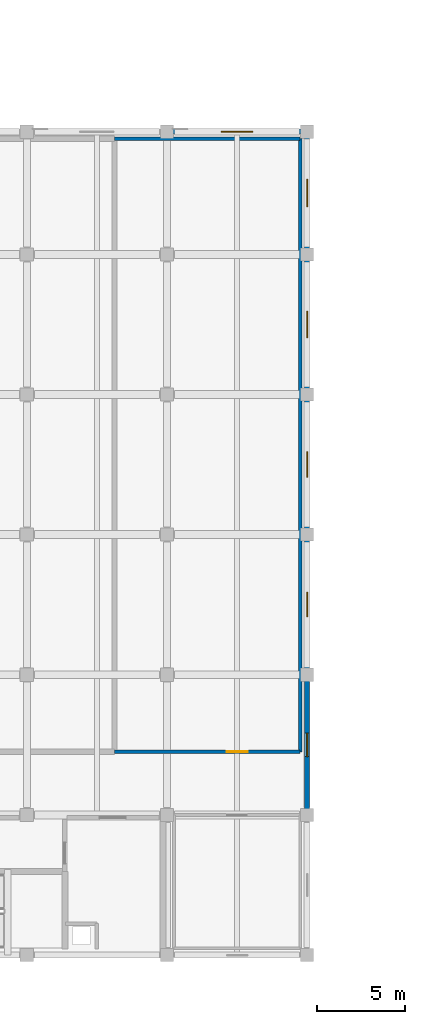
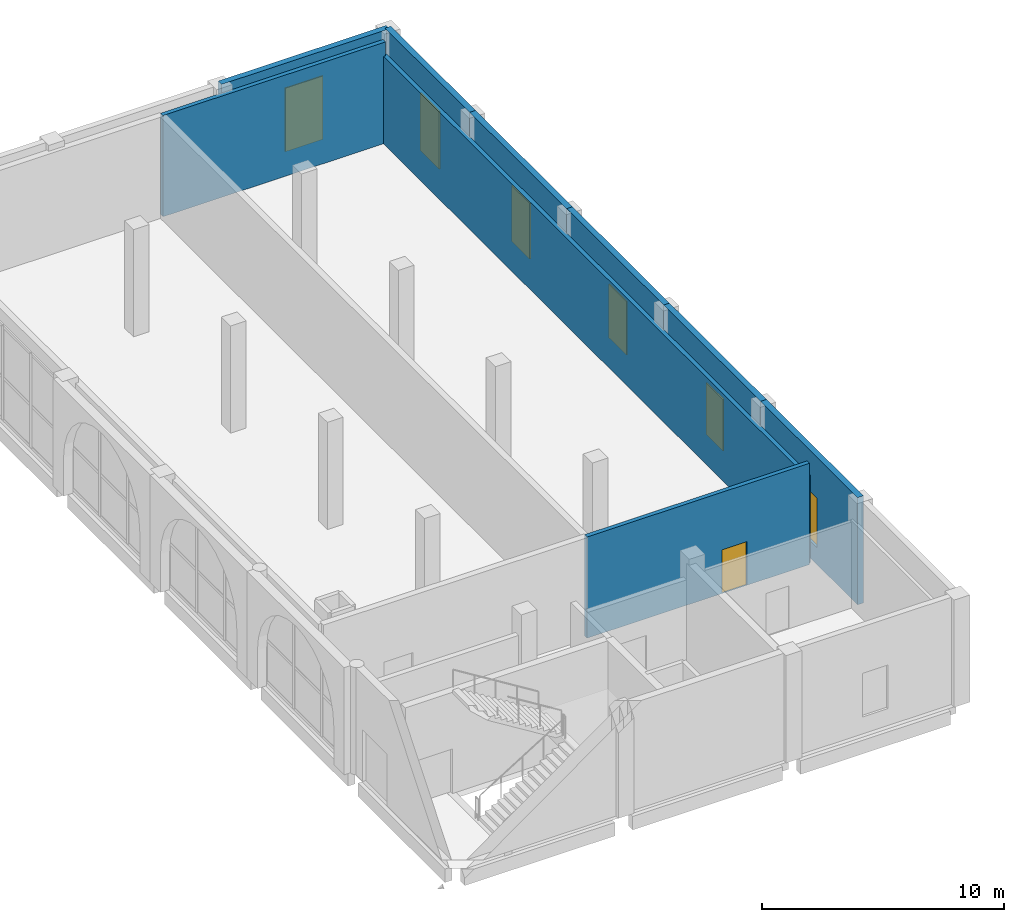
# One storey, part 23 of 40: 9 walls, 6 windows, 1 door, 7 openings.
"""IFC4 building model written with IfcOpenShell, lengths in metres."""

from ifc_helpers import new_model, si_unit, direction, frame, frame_2d, origin, place, context, subcontext, project, spatial, rectangle, extrude, material, layer, layer_set, type_object, element, fill, save


model = new_model("IFC4")

# Units and contexts
model_context = context("Model", 3, precision=1e-05, world=origin(), true_north=direction((0.0, 1.0)))
body_context = subcontext(model_context, "Body", "Model", "MODEL_VIEW")
ifc_project = project(units=[si_unit("LENGTHUNIT", "METRE"), si_unit("AREAUNIT", "SQUARE_METRE"), si_unit("VOLUMEUNIT", "CUBIC_METRE"), si_unit("PLANEANGLEUNIT", "RADIAN"), si_unit("MASSUNIT", "GRAM", prefix="KILO")], contexts=[model_context])

# Site, building, storey
site_placement = place(None, origin())
site = spatial("IfcSite", under=ifc_project, at=site_placement, CompositionType="ELEMENT")
building_placement = place(site_placement, origin())
building = spatial("IfcBuilding", under=site, at=building_placement, Name="Qorikala Patio Media Centre", CompositionType="ELEMENT")
storey_placement = place(building_placement, origin())
storey = spatial("IfcBuildingStorey", under=building, at=storey_placement, Name="L00", CompositionType="ELEMENT", Elevation=0.0)

# Wall, opening, window
ifc_material_1 = material(Name="Warm Ochre Lime Stucco and Concrete C35/45", Category="concrete")
ifc_layer_1 = layer(ifc_material_1, 0.280029296875)
ifc_layer_set_1 = layer_set([ifc_layer_1], Name="Warm Ochre Lime Stucco and Concrete C35/45")
wall_type_1 = type_object("IfcWallType", Name="WL-OCHRE-280", PredefinedType="SOLIDWALL", material=ifc_layer_set_1)
wall_1_placement = place(storey_placement, frame((75.0, 111.0, 0.0), z_axis=(0.0, 0.0, 1.0), x_axis=(0.0, -1.0, 0.0)))
wall_1 = element("IfcWall", 1, at=wall_1_placement, inside=storey, type_object=wall_type_1, Name="L00 Exterior Wall WL-L00-EXT-0078", PredefinedType="SOLIDWALL", context=body_context, shape_type="SweptSolid", body=[
    extrude(rectangle(XDim=7.0, YDim=0.280029296875, at=frame_2d((3.5, 0.0))), origin(), (0.0, 0.0, 1.0), 5.39990234375),
])
opening_1_placement = place(wall_1_placement, frame((2.7099609375, 0.0, 0.85009765625)))
opening_1 = element("IfcOpeningElement", 2, at=opening_1_placement, cuts=wall_1, Name="Opening WC-158", PredefinedType="OPENING", context=body_context, shape_type="SweptSolid", body=[
    extrude(rectangle(XDim=1.580078125, YDim=2.89990234375, at=frame_2d((0.7900390625, 1.449951171875))), frame((0.0, 0.14990234375, 0.0), z_axis=(0.0, -1.0, 0.0), x_axis=(1.0, 0.0, 0.0)), (0.0, 0.0, 1.0), 0.300048828125),
])
ifc_material_2 = material(Name="Bronze Anodised Aluminium and Low-E Glass", Category="aluminium")
window_type_1 = type_object("IfcWindowType", Name="WN-COL-158X290", PartitioningType="SINGLE_PANEL", PredefinedType="WINDOW", material=ifc_material_2)
window_1_placement = place(opening_1_placement, origin())
window_1 = element("IfcWindow", 3, at=window_1_placement, inside=storey, type_object=window_type_1, Name="L00 Colonial Tall Window 0053", OverallHeight=2.89990234375, OverallWidth=1.580078125, PartitioningType="SINGLE_PANEL", PredefinedType="WINDOW", context=body_context, shape_type="SweptSolid", body=[
    extrude(rectangle(XDim=1.580078125, YDim=2.89990234375, at=frame_2d((0.7900390625, 1.449951171875))), frame((0.0, 0.030029296875, 0.0), z_axis=(0.0, -1.0, 0.0), x_axis=(1.0, 0.0, 0.0)), (0.0, 0.0, 1.0), 0.06005859375),
])
fill(opening_1, window_1)

wall_2_placement = place(storey_placement, frame((75.0, 104.0, 0.0), z_axis=(0.0, 0.0, 1.0), x_axis=(0.0, -1.0, 0.0)))
wall_2 = element("IfcWall", 4, at=wall_2_placement, inside=storey, type_object=wall_type_1, Name="L00 Exterior Wall WL-L00-EXT-0079", PredefinedType="SOLIDWALL", context=body_context, shape_type="SweptSolid", body=[
    extrude(rectangle(XDim=8.0, YDim=0.280029296875, at=frame_2d((4.0, 0.0))), origin(), (0.0, 0.0, 1.0), 5.39990234375),
])
opening_2_placement = place(wall_2_placement, frame((3.25, 0.0, 0.85009765625)))
opening_2 = element("IfcOpeningElement", 5, at=opening_2_placement, cuts=wall_2, Name="Opening WC-150", PredefinedType="OPENING", context=body_context, shape_type="SweptSolid", body=[
    extrude(rectangle(XDim=1.5, YDim=2.800048828125, at=frame_2d((0.75, 1.39990234375))), frame((0.0, 0.14990234375, 0.0), z_axis=(0.0, -1.0, 0.0), x_axis=(1.0, 0.0, 0.0)), (0.0, 0.0, 1.0), 0.300048828125),
])
window_type_2 = type_object("IfcWindowType", Name="WN-COL-150X280", PartitioningType="SINGLE_PANEL", PredefinedType="WINDOW", material=ifc_material_2)
window_2_placement = place(opening_2_placement, origin())
window_2 = element("IfcWindow", 6, at=window_2_placement, inside=storey, type_object=window_type_2, Name="L00 Colonial Tall Window 0054", OverallHeight=2.800048828125, OverallWidth=1.5, PartitioningType="SINGLE_PANEL", PredefinedType="WINDOW", context=body_context, shape_type="SweptSolid", body=[
    extrude(rectangle(XDim=1.5, YDim=2.800048828125, at=frame_2d((0.75, 1.39990234375))), frame((0.0, 0.030029296875, 0.0), z_axis=(0.0, -1.0, 0.0), x_axis=(1.0, 0.0, 0.0)), (0.0, 0.0, 1.0), 0.06005859375),
])
fill(opening_2, window_2)

wall_3_placement = place(storey_placement, frame((75.0, 96.0, 0.0), z_axis=(0.0, 0.0, 1.0), x_axis=(0.0, -1.0, 0.0)))
wall_3 = element("IfcWall", 7, at=wall_3_placement, inside=storey, type_object=wall_type_1, Name="L00 Exterior Wall WL-L00-EXT-0080", PredefinedType="SOLIDWALL", context=body_context, shape_type="SweptSolid", body=[
    extrude(rectangle(XDim=8.0, YDim=0.280029296875, at=frame_2d((4.0, 0.0))), origin(), (0.0, 0.0, 1.0), 5.39990234375),
])
opening_3_placement = place(wall_3_placement, frame((3.27001953125, 0.0, 0.85009765625)))
opening_3 = element("IfcOpeningElement", 8, at=opening_3_placement, cuts=wall_3, Name="Opening WC-146", PredefinedType="OPENING", context=body_context, shape_type="SweptSolid", body=[
    extrude(rectangle(XDim=1.4599609375, YDim=2.699951171875, at=frame_2d((0.72998046875, 1.35009765625))), frame((0.0, 0.14990234375, 0.0), z_axis=(0.0, -1.0, 0.0), x_axis=(1.0, 0.0, 0.0)), (0.0, 0.0, 1.0), 0.300048828125),
])
window_type_3 = type_object("IfcWindowType", Name="WN-COL-146X270", PartitioningType="SINGLE_PANEL", PredefinedType="WINDOW", material=ifc_material_2)
window_3_placement = place(opening_3_placement, origin())
window_3 = element("IfcWindow", 9, at=window_3_placement, inside=storey, type_object=window_type_3, Name="L00 Colonial Tall Window 0055", OverallHeight=2.699951171875, OverallWidth=1.4599609375, PartitioningType="SINGLE_PANEL", PredefinedType="WINDOW", context=body_context, shape_type="SweptSolid", body=[
    extrude(rectangle(XDim=1.4599609375, YDim=2.699951171875, at=frame_2d((0.72998046875, 1.35009765625))), frame((0.0, 0.030029296875, 0.0), z_axis=(0.0, -1.0, 0.0), x_axis=(1.0, 0.0, 0.0)), (0.0, 0.0, 1.0), 0.06005859375),
])
fill(opening_3, window_3)

wall_4_placement = place(storey_placement, frame((75.0, 88.0, 0.0), z_axis=(0.0, 0.0, 1.0), x_axis=(0.0, -1.0, 0.0)))
wall_4 = element("IfcWall", 10, at=wall_4_placement, inside=storey, type_object=wall_type_1, Name="L00 Exterior Wall WL-L00-EXT-0081", PredefinedType="SOLIDWALL", context=body_context, shape_type="SweptSolid", body=[
    extrude(rectangle(XDim=8.0, YDim=0.280029296875, at=frame_2d((4.0, 0.0))), origin(), (0.0, 0.0, 1.0), 5.39990234375),
])
opening_4_placement = place(wall_4_placement, frame((3.300048828125, 0.0, 0.85009765625)))
opening_4 = element("IfcOpeningElement", 11, at=opening_4_placement, cuts=wall_4, Name="Opening WC-140", PredefinedType="OPENING", context=body_context, shape_type="SweptSolid", body=[
    extrude(rectangle(XDim=1.39990234375, YDim=2.60009765625, at=frame_2d((0.699951171875, 1.300048828125))), frame((0.0, 0.14990234375, 0.0), z_axis=(0.0, -1.0, 0.0), x_axis=(1.0, 0.0, 0.0)), (0.0, 0.0, 1.0), 0.300048828125),
])
window_type_4 = type_object("IfcWindowType", Name="WN-COL-140X260", PartitioningType="SINGLE_PANEL", PredefinedType="WINDOW", material=ifc_material_2)
window_4_placement = place(opening_4_placement, origin())
window_4 = element("IfcWindow", 12, at=window_4_placement, inside=storey, type_object=window_type_4, Name="L00 Colonial Tall Window 0056", OverallHeight=2.60009765625, OverallWidth=1.39990234375, PartitioningType="SINGLE_PANEL", PredefinedType="WINDOW", context=body_context, shape_type="SweptSolid", body=[
    extrude(rectangle(XDim=1.39990234375, YDim=2.60009765625, at=frame_2d((0.699951171875, 1.300048828125))), frame((0.0, 0.030029296875, 0.0), z_axis=(0.0, -1.0, 0.0), x_axis=(1.0, 0.0, 0.0)), (0.0, 0.0, 1.0), 0.06005859375),
])
fill(opening_4, window_4)

wall_5_placement = place(storey_placement, frame((75.0, 80.0, 0.0), z_axis=(0.0, 0.0, 1.0), x_axis=(0.0, -1.0, 0.0)))
wall_5 = element("IfcWall", 13, at=wall_5_placement, inside=storey, type_object=wall_type_1, Name="L00 Exterior Wall WL-L00-EXT-0082", PredefinedType="SOLIDWALL", context=body_context, shape_type="SweptSolid", body=[
    extrude(rectangle(XDim=8.0, YDim=0.280029296875, at=frame_2d((4.0, 0.0))), origin(), (0.0, 0.0, 1.0), 5.39990234375),
])
opening_5_placement = place(wall_5_placement, frame((3.330078125, 0.0, 0.85009765625)))
opening_5 = element("IfcOpeningElement", 14, at=opening_5_placement, cuts=wall_5, Name="Opening WC-134", PredefinedType="OPENING", context=body_context, shape_type="SweptSolid", body=[
    extrude(rectangle(XDim=1.340087890625, YDim=2.5, at=frame_2d((0.669921875, 1.25))), frame((0.0, 0.14990234375, 0.0), z_axis=(0.0, -1.0, 0.0), x_axis=(1.0, 0.0, 0.0)), (0.0, 0.0, 1.0), 0.300048828125),
])
window_type_5 = type_object("IfcWindowType", Name="WN-COL-134X250", PartitioningType="SINGLE_PANEL", PredefinedType="WINDOW", material=ifc_material_2)
window_5_placement = place(opening_5_placement, origin())
window_5 = element("IfcWindow", 15, at=window_5_placement, inside=storey, type_object=window_type_5, Name="L00 Colonial Tall Window 0057", OverallHeight=2.5, OverallWidth=1.340087890625, PartitioningType="SINGLE_PANEL", PredefinedType="WINDOW", context=body_context, shape_type="SweptSolid", body=[
    extrude(rectangle(XDim=1.340087890625, YDim=2.5, at=frame_2d((0.669921875, 1.25))), frame((0.0, 0.030029296875, 0.0), z_axis=(0.0, -1.0, 0.0), x_axis=(1.0, 0.0, 0.0)), (0.0, 0.0, 1.0), 0.06005859375),
])
fill(opening_5, window_5)

wall_6_placement = place(storey_placement, frame((67.0, 111.0, 0.0), z_axis=(0.0, 0.0, 1.0), x_axis=(1.0, 0.0, 0.0)))
wall_6 = element("IfcWall", 16, at=wall_6_placement, inside=storey, type_object=wall_type_1, Name="L00 Exterior Wall WL-L00-EXT-0090", PredefinedType="SOLIDWALL", context=body_context, shape_type="SweptSolid", body=[
    extrude(rectangle(XDim=8.0, YDim=0.280029296875, at=frame_2d((4.0, 0.0))), origin(), (0.0, 0.0, 1.0), 5.39990234375),
])
opening_6_placement = place(wall_6_placement, frame((3.10009765625, 0.0, 0.85009765625)))
opening_6 = element("IfcOpeningElement", 17, at=opening_6_placement, cuts=wall_6, Name="Opening WC-180", PredefinedType="OPENING", context=body_context, shape_type="SweptSolid", body=[
    extrude(rectangle(XDim=1.800048828125, YDim=3.199951171875, at=frame_2d((0.89990234375, 1.60009765625))), frame((0.0, 0.14990234375, 0.0), z_axis=(0.0, -1.0, 0.0), x_axis=(1.0, 0.0, 0.0)), (0.0, 0.0, 1.0), 0.300048828125),
])
window_type_6 = type_object("IfcWindowType", Name="WN-COL-180X320", PartitioningType="SINGLE_PANEL", PredefinedType="WINDOW", material=ifc_material_2)
window_6_placement = place(opening_6_placement, origin())
window_6 = element("IfcWindow", 18, at=window_6_placement, inside=storey, type_object=window_type_6, Name="L00 Colonial Tall Window 0062", OverallHeight=3.199951171875, OverallWidth=1.800048828125, PartitioningType="SINGLE_PANEL", PredefinedType="WINDOW", context=body_context, shape_type="SweptSolid", body=[
    extrude(rectangle(XDim=1.800048828125, YDim=3.199951171875, at=frame_2d((0.89990234375, 1.60009765625))), frame((0.0, 0.030029296875, 0.0), z_axis=(0.0, -1.0, 0.0), x_axis=(1.0, 0.0, 0.0)), (0.0, 0.0, 1.0), 0.06005859375),
])
fill(opening_6, window_6)

# Wall, opening, door
ifc_material_3 = material(Name="Acoustic Masonry and Plaster Concrete C30/37", Category="masonry")
ifc_layer_2 = layer(ifc_material_3, 0.199951171875)
ifc_layer_set_2 = layer_set([ifc_layer_2], Name="Acoustic Masonry and Plaster Concrete C30/37")
wall_type_2 = type_object("IfcWallType", Name="WL-ST-200", PredefinedType="PARTITIONING", material=ifc_layer_set_2)
wall_7_placement = place(storey_placement, frame((64.0, 75.60009765625, 0.0), z_axis=(0.0, 0.0, 1.0), x_axis=(1.0, 0.0, 0.0)))
wall_7 = element("IfcWall", 19, at=wall_7_placement, inside=storey, type_object=wall_type_2, Name="L00 Interior Wall WINT-L00-CTR1-S", PredefinedType="PARTITIONING", context=body_context, shape_type="SweptSolid", body=[
    extrude(rectangle(XDim=10.60009765625, YDim=0.199951171875, at=frame_2d((5.300048828125, 0.0))), origin(), (0.0, 0.0, 1.0), 5.10009765625),
])
opening_7_placement = place(wall_7_placement, frame((6.4208984375, 0.0, 0.0)))
opening_7 = element("IfcOpeningElement", 20, at=opening_7_placement, cuts=wall_7, Name="Opening D248", PredefinedType="OPENING", context=body_context, shape_type="SweptSolid", body=[
    extrude(rectangle(XDim=1.199951171875, YDim=2.199951171875, at=frame_2d((0.60009765625, 1.10009765625))), frame((0.0, 0.10986328125, 0.0), z_axis=(0.0, -1.0, 0.0), x_axis=(1.0, 0.0, 0.0)), (0.0, 0.0, 1.0), 0.219970703125),
])
ifc_material_4 = material(Name="Acoustic Fire Timber and Steel", Category="steel")
door_type = type_object("IfcDoorType", Name="DR-FD60-120X220", OperationType="NOTDEFINED", PredefinedType="DOOR", material=ifc_material_4)
door_placement = place(opening_7_placement, origin())
door = element("IfcDoor", 21, at=door_placement, inside=storey, type_object=door_type, Name="Recording Studio 1 Control Room Door 037", OperationType="SINGLE_SWING_LEFT", OverallHeight=2.199951171875, OverallWidth=1.199951171875, PredefinedType="DOOR", context=body_context, shape_type="SweptSolid", body=[
    extrude(rectangle(XDim=1.199951171875, YDim=2.199951171875, at=frame_2d((0.60009765625, 1.10009765625))), frame((0.0, 0.02490234375, 0.0), z_axis=(0.0, -1.0, 0.0), x_axis=(1.0, 0.0, 0.0)), (0.0, 0.0, 1.0), 0.050048828125),
])
fill(opening_7, door)

# Walls
wall_8_placement = place(storey_placement, frame((74.60009765625, 75.60009765625, 0.0), z_axis=(0.0, 0.0, 1.0), x_axis=(0.0, 1.0, 0.0)))
element("IfcWall", 22, at=wall_8_placement, inside=storey, type_object=wall_type_2, Name="L00 Interior Wall WINT-L00-CTR1-E", PredefinedType="PARTITIONING", context=body_context, shape_type="SweptSolid", body=[
    extrude(rectangle(XDim=35.0, YDim=0.199951171875, at=frame_2d((17.5, 0.0))), origin(), (0.0, 0.0, 1.0), 4.405029296875),
])
wall_9_placement = place(storey_placement, frame((64.0, 110.60009765625, 0.0), z_axis=(0.0, 0.0, 1.0), x_axis=(1.0, 0.0, 0.0)))
element("IfcWall", 23, at=wall_9_placement, inside=storey, type_object=wall_type_2, Name="L00 Interior Wall WINT-L00-CTR1-N", PredefinedType="PARTITIONING", context=body_context, shape_type="SweptSolid", body=[
    extrude(rectangle(XDim=10.60009765625, YDim=0.199951171875, at=frame_2d((5.300048828125, 0.0))), origin(), (0.0, 0.0, 1.0), 5.10009765625),
])

save(model, "model.ifc")
